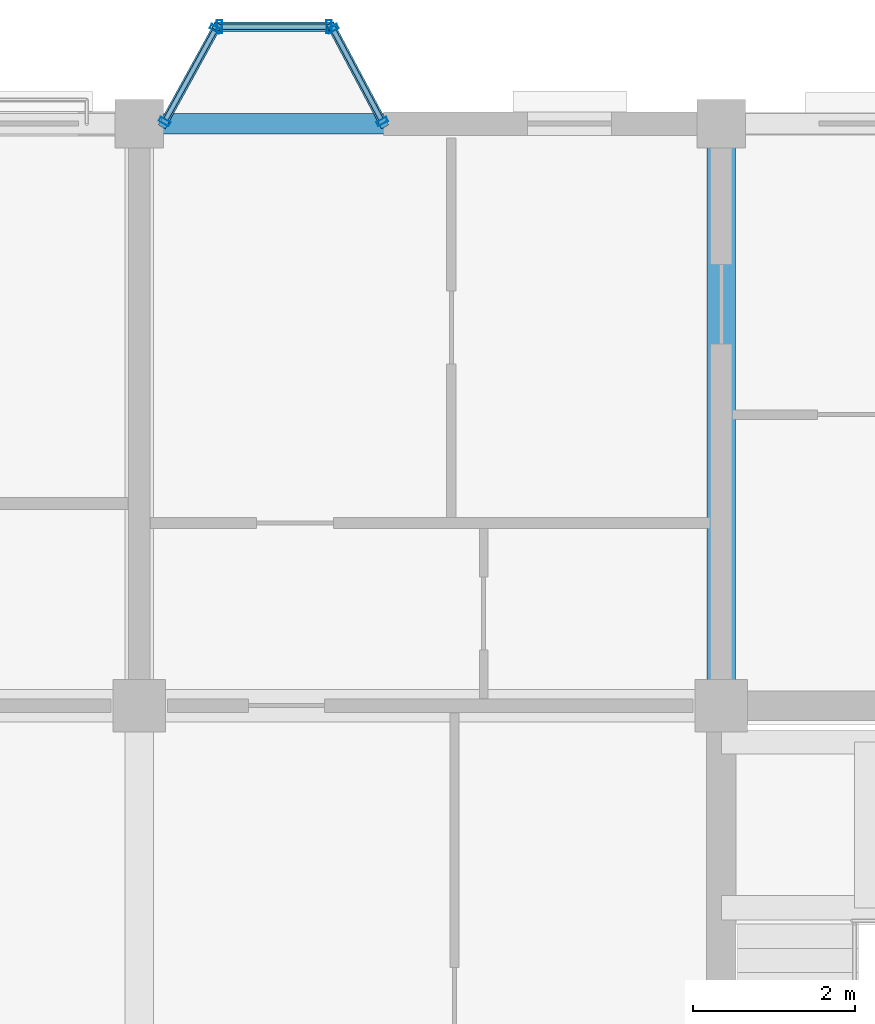
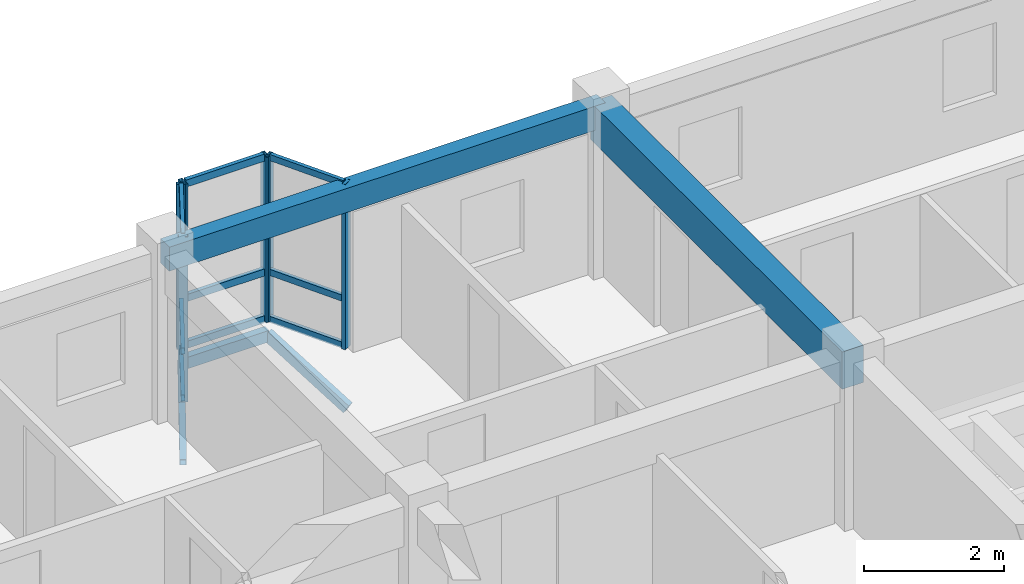
# One storey, part 67 of 124: 18 members, 2 beams, 3 elements without a shape of their own.
"""IFC4 building model written with IfcOpenShell, lengths in metres."""

from ifc_helpers import new_model, si_unit, direction, frame, origin, origin_2d, place, context, subcontext, project, spatial, rectangle, hollow_rectangle, extrude, material, layer, layer_set, material_profile, profile_set, type_object, element, aggregate, save


model = new_model("IFC4")

# Units and contexts
model_context = context("Model", 3, precision=1e-05, world=origin(), true_north=direction((0.0, 1.0)))
body_context = subcontext(model_context, "Body", "Model", "MODEL_VIEW")
ifc_project = project(units=[si_unit("LENGTHUNIT", "METRE"), si_unit("AREAUNIT", "SQUARE_METRE"), si_unit("VOLUMEUNIT", "CUBIC_METRE"), si_unit("PLANEANGLEUNIT", "RADIAN"), si_unit("MASSUNIT", "GRAM", prefix="KILO"), si_unit("THERMODYNAMICTEMPERATUREUNIT", "KELVIN"), si_unit("POWERUNIT", "WATT")], contexts=[model_context])

# Site, building, storey
site_placement = place(None, origin())
site = spatial("IfcSite", under=ifc_project, at=site_placement, CompositionType="ELEMENT")
building_placement = place(site_placement, origin())
building = spatial("IfcBuilding", under=site, at=building_placement, Name="Tavuni Mirador Residences", CompositionType="ELEMENT")
storey_placement = place(building_placement, frame((0.0, 0.0, 7.64990234375)))
storey = spatial("IfcBuildingStorey", under=building, at=storey_placement, Name="L02", CompositionType="ELEMENT", Elevation=7.64990234375)

# Beams
ifc_material_1 = material(Name="Precast concrete C40/50", Category="concrete")
ifc_material_profile_1 = material_profile(ifc_material_1, rectangle(XDim=0.35009765625, YDim=0.64990234375, at=origin_2d()), Name="PC 350x650", Category="concrete")
ifc_profile_set_1 = profile_set([ifc_material_profile_1], Name="Precast concrete C40/50")
beam_type_1 = type_object("IfcBeamType", Name="BT-B650", PredefinedType="BEAM", material=ifc_profile_set_1)
beam_1_placement = place(storey_placement, frame((25.199951171875, 165.60009765625, 2.56005859375), z_axis=(0.0, 1.0, 0.0), x_axis=(-1.0, 0.0, 0.0)))
element("IfcBeam", 1, at=beam_1_placement, inside=storey, type_object=beam_type_1, Name="BMY-BLK-C-L02-02-03", PredefinedType="BEAM", context=body_context, shape_type="SweptSolid", body=[
    extrude(rectangle(XDim=0.35009765625, YDim=0.64990234375, at=origin_2d()), origin(), (0.0, 0.0, 1.0), 7.199951171875),
])
ifc_material_profile_2 = material_profile(ifc_material_1, rectangle(XDim=0.25, YDim=0.419921875, at=origin_2d()), Name="PC 250x420", Category="concrete")
ifc_profile_set_2 = profile_set([ifc_material_profile_2], Name="Precast concrete C40/50")
beam_type_2 = type_object("IfcBeamType", Name="BT-SP420", PredefinedType="SPANDREL", material=ifc_profile_set_2)
beam_2_placement = place(storey_placement, frame((18.0, 172.800048828125, 2.675048828125), z_axis=(1.0, 0.0, 0.0), x_axis=(0.0, 1.0, 0.0)))
element("IfcBeam", 2, at=beam_2_placement, inside=storey, type_object=beam_type_2, Name="BMX-BLK-C-L02-01-04", PredefinedType="SPANDREL", context=body_context, shape_type="SweptSolid", body=[
    extrude(rectangle(XDim=0.25, YDim=0.419921875, at=origin_2d()), origin(), (0.0, 0.0, 1.0), 7.199951171875),
])

# Curtain wall, members
ifc_material_2 = material(Name="Anodised aluminium", Category="aluminium")
ifc_layer_1 = layer(ifc_material_2, 0.1650390625, Name="Anodised aluminium", Category="aluminium")
ifc_layer_set_1 = layer_set([ifc_layer_1], Name="Anodised aluminium")
curtain_wall_type_1 = type_object("IfcCurtainWallType", Name="CWT-MIR-A", PredefinedType="NOTDEFINED", material=ifc_layer_set_1)
curtain_wall_1_placement = place(storey_placement, origin())
curtain_wall_1 = element("IfcCurtainWall", 3, at=curtain_wall_1_placement, inside=storey, type_object=curtain_wall_type_1, Name="CW-MIR-C-N1-L02-M1", PredefinedType="NOTDEFINED")
ifc_material_profile_3 = material_profile(ifc_material_2, hollow_rectangle(XDim=0.06005859375, YDim=0.139892578125, WallThickness=0.00390625, at=origin_2d()), Name="ALU 60x140x4.0", Category="aluminium")
ifc_profile_set_3 = profile_set([ifc_material_profile_3], Name="Anodised aluminium")
member_type_1 = type_object("IfcMemberType", Name="CWM-140", PredefinedType="MULLION", material=ifc_profile_set_3)
member_1_placement = place(storey_placement, frame((21.005859375, 172.826416015625, 0.0), z_axis=(0.0, 0.0, 1.0), x_axis=(-0.470588235296, 0.882352941175, 0.0)))
member_1 = element("IfcMember", 4, at=member_1_placement, type_object=member_type_1, Name="CW-01 mullion 1", PredefinedType="MULLION", context=body_context, shape_type="SweptSolid", body=[
    extrude(hollow_rectangle(XDim=0.06005859375, YDim=0.139892578125, WallThickness=0.00390625, at=origin_2d()), origin(), (0.0, 0.0, 1.0), 2.885009765625),
])
member_2_placement = place(storey_placement, frame((20.39404296875, 173.9736328125, 0.0), z_axis=(0.0, 0.0, 1.0), x_axis=(-0.470588235296, 0.882352941175, 0.0)))
member_2 = element("IfcMember", 5, at=member_2_placement, type_object=member_type_1, Name="CW-01 mullion 2", PredefinedType="MULLION", context=body_context, shape_type="SweptSolid", body=[
    extrude(hollow_rectangle(XDim=0.06005859375, YDim=0.139892578125, WallThickness=0.00390625, at=origin_2d()), origin(), (0.0, 0.0, 1.0), 2.885009765625),
])

ifc_layer_2 = layer(ifc_material_2, 0.175048828125, Name="Anodised aluminium", Category="aluminium")
ifc_layer_set_2 = layer_set([ifc_layer_2], Name="Anodised aluminium")
curtain_wall_type_2 = type_object("IfcCurtainWallType", Name="CWT-MIR-C", PredefinedType="NOTDEFINED", material=ifc_layer_set_2)
curtain_wall_2_placement = place(storey_placement, origin())
curtain_wall_2 = element("IfcCurtainWall", 6, at=curtain_wall_2_placement, inside=storey, type_object=curtain_wall_type_2, Name="CW-MIR-C-N1-L02-M2", PredefinedType="NOTDEFINED")
member_3_placement = place(storey_placement, frame((18.945556640625, 173.9736328125, 0.0), z_axis=(0.0, 0.0, 1.0), x_axis=(-0.481918749773, -0.876215908676, 0.0)))
member_3 = element("IfcMember", 7, at=member_3_placement, type_object=member_type_1, Name="CW-03 mullion 1", PredefinedType="MULLION", context=body_context, shape_type="SweptSolid", body=[
    extrude(hollow_rectangle(XDim=0.06005859375, YDim=0.139892578125, WallThickness=0.00390625, at=origin_2d()), origin(), (0.0, 0.0, 1.0), 2.885009765625),
])
member_4_placement = place(storey_placement, frame((18.314453125, 172.826171875, 0.0), z_axis=(0.0, 0.0, 1.0), x_axis=(-0.481918749773, -0.876215908676, 0.0)))
member_4 = element("IfcMember", 8, at=member_4_placement, type_object=member_type_1, Name="CW-03 mullion 2", PredefinedType="MULLION", context=body_context, shape_type="SweptSolid", body=[
    extrude(hollow_rectangle(XDim=0.06005859375, YDim=0.139892578125, WallThickness=0.00390625, at=origin_2d()), origin(), (0.0, 0.0, 1.0), 2.885009765625),
])

ifc_layer_3 = layer(ifc_material_2, 0.14990234375, Name="Anodised aluminium", Category="aluminium")
ifc_layer_set_3 = layer_set([ifc_layer_3], Name="Anodised aluminium")
curtain_wall_type_3 = type_object("IfcCurtainWallType", Name="CWT-MIR-B", PredefinedType="NOTDEFINED", material=ifc_layer_set_3)
curtain_wall_3_placement = place(storey_placement, origin())
curtain_wall_3 = element("IfcCurtainWall", 9, at=curtain_wall_3_placement, inside=storey, type_object=curtain_wall_type_3, Name="CW-MIR-C-N1-L02-MF", PredefinedType="NOTDEFINED")
ifc_material_profile_4 = material_profile(ifc_material_2, hollow_rectangle(XDim=0.06494140625, YDim=0.1650390625, WallThickness=0.00439453125, at=origin_2d()), Name="ALU 65x165x4.5", Category="aluminium")
ifc_profile_set_4 = profile_set([ifc_material_profile_4], Name="Anodised aluminium")
member_type_2 = type_object("IfcMemberType", Name="CWM-165", PredefinedType="MULLION", material=ifc_profile_set_4)
member_5_placement = place(storey_placement, frame((20.347412109375, 174.0, 0.0), z_axis=(0.0, 0.0, 1.0), x_axis=(-1.0, 0.0, 0.0)))
member_5 = element("IfcMember", 10, at=member_5_placement, type_object=member_type_2, Name="CW-02 mullion 1", PredefinedType="MULLION", context=body_context, shape_type="SweptSolid", body=[
    extrude(hollow_rectangle(XDim=0.06494140625, YDim=0.1650390625, WallThickness=0.00439453125, at=origin_2d()), origin(), (0.0, 0.0, 1.0), 2.885009765625),
])
member_6_placement = place(storey_placement, frame((18.992431640625, 174.0, 0.0), z_axis=(0.0, 0.0, 1.0), x_axis=(-1.0, 0.0, 0.0)))
member_6 = element("IfcMember", 11, at=member_6_placement, type_object=member_type_2, Name="CW-02 mullion 2", PredefinedType="MULLION", context=body_context, shape_type="SweptSolid", body=[
    extrude(hollow_rectangle(XDim=0.06494140625, YDim=0.1650390625, WallThickness=0.00439453125, at=origin_2d()), origin(), (0.0, 0.0, 1.0), 2.885009765625),
])

# Member
ifc_material_profile_5 = material_profile(ifc_material_2, hollow_rectangle(XDim=0.06005859375, YDim=0.110107421875, WallThickness=0.00390625, at=origin_2d()), Name="ALU 60x110x4.0", Category="aluminium")
ifc_profile_set_5 = profile_set([ifc_material_profile_5], Name="Anodised aluminium")
member_type_3 = type_object("IfcMemberType", Name="CWT-110", PredefinedType="USERDEFINED", material=ifc_profile_set_5)
member_7_placement = place(storey_placement, frame((20.99169921875, 172.85302734375, 0.030029296875), z_axis=(-0.470608675382, 0.882342039492, 0.0), x_axis=(-0.882342039492, -0.470608675382, 0.0)))
member_7 = element("IfcMember", 12, at=member_7_placement, type_object=member_type_3, Name="CW-01 transom 1.1", ObjectType="TRANSOM", PredefinedType="USERDEFINED", context=body_context, shape_type="SweptSolid", body=[
    extrude(hollow_rectangle(XDim=0.06005859375, YDim=0.110107421875, WallThickness=0.00390625, at=origin_2d()), origin(), (0.0, 0.0, 1.0), 1.239990234375),
])

member_8_placement = place(storey_placement, frame((20.99169921875, 172.85302734375, 0.85009765625), z_axis=(-0.470608675382, 0.882342039492, 0.0), x_axis=(-0.882342039492, -0.470608675382, 0.0)))
member_8 = element("IfcMember", 13, at=member_8_placement, type_object=member_type_3, Name="CW-01 transom 1.2", ObjectType="TRANSOM", PredefinedType="USERDEFINED", context=body_context, shape_type="SweptSolid", body=[
    extrude(hollow_rectangle(XDim=0.06005859375, YDim=0.110107421875, WallThickness=0.00390625, at=origin_2d()), origin(), (0.0, 0.0, 1.0), 1.239990234375),
])

member_9_placement = place(storey_placement, frame((20.99169921875, 172.85302734375, 2.85498046875), z_axis=(-0.470608675382, 0.882342039492, 0.0), x_axis=(-0.882342039492, -0.470608675382, 0.0)))
member_9 = element("IfcMember", 14, at=member_9_placement, type_object=member_type_3, Name="CW-01 transom 1.3", ObjectType="TRANSOM", PredefinedType="USERDEFINED", context=body_context, shape_type="SweptSolid", body=[
    extrude(hollow_rectangle(XDim=0.06005859375, YDim=0.110107421875, WallThickness=0.00390625, at=origin_2d()), origin(), (0.0, 0.0, 1.0), 1.239990234375),
])

aggregate(curtain_wall_1, [member_1, member_2, member_7, member_8, member_9])

member_10_placement = place(storey_placement, frame((18.93115234375, 173.947509765625, 0.030029296875), z_axis=(-0.481956246695, -0.876195284324, 0.0), x_axis=(0.876195284324, -0.481956246695, 0.0)))
member_10 = element("IfcMember", 15, at=member_10_placement, type_object=member_type_3, Name="CW-03 transom 1.1", ObjectType="TRANSOM", PredefinedType="USERDEFINED", context=body_context, shape_type="SweptSolid", body=[
    extrude(hollow_rectangle(XDim=0.06005859375, YDim=0.110107421875, WallThickness=0.00390625, at=origin_2d()), origin(), (0.0, 0.0, 1.0), 1.249755859375),
])

member_11_placement = place(storey_placement, frame((18.93115234375, 173.947509765625, 0.85009765625), z_axis=(-0.481956246695, -0.876195284324, 0.0), x_axis=(0.876195284324, -0.481956246695, 0.0)))
member_11 = element("IfcMember", 16, at=member_11_placement, type_object=member_type_3, Name="CW-03 transom 1.2", ObjectType="TRANSOM", PredefinedType="USERDEFINED", context=body_context, shape_type="SweptSolid", body=[
    extrude(hollow_rectangle(XDim=0.06005859375, YDim=0.110107421875, WallThickness=0.00390625, at=origin_2d()), origin(), (0.0, 0.0, 1.0), 1.249755859375),
])

member_12_placement = place(storey_placement, frame((18.93115234375, 173.947509765625, 2.85498046875), z_axis=(-0.481956246695, -0.876195284324, 0.0), x_axis=(0.876195284324, -0.481956246695, 0.0)))
member_12 = element("IfcMember", 17, at=member_12_placement, type_object=member_type_3, Name="CW-03 transom 1.3", ObjectType="TRANSOM", PredefinedType="USERDEFINED", context=body_context, shape_type="SweptSolid", body=[
    extrude(hollow_rectangle(XDim=0.06005859375, YDim=0.110107421875, WallThickness=0.00390625, at=origin_2d()), origin(), (0.0, 0.0, 1.0), 1.249755859375),
])

aggregate(curtain_wall_2, [member_3, member_4, member_10, member_11, member_12])

ifc_material_profile_6 = material_profile(ifc_material_2, hollow_rectangle(XDim=0.06494140625, YDim=0.125, WallThickness=0.00439453125, at=origin_2d()), Name="ALU 65x125x4.5", Category="aluminium")
ifc_profile_set_6 = profile_set([ifc_material_profile_6], Name="Anodised aluminium")
member_type_4 = type_object("IfcMemberType", Name="CWT-125", PredefinedType="USERDEFINED", material=ifc_profile_set_6)
member_13_placement = place(storey_placement, frame((20.31494140625, 174.0, 0.03271484375), z_axis=(-1.0, 0.0, 0.0), x_axis=(0.0, -1.0, 0.0)))
member_13 = element("IfcMember", 18, at=member_13_placement, type_object=member_type_4, Name="CW-02 transom 1.1", ObjectType="TRANSOM", PredefinedType="USERDEFINED", context=body_context, shape_type="SweptSolid", body=[
    extrude(hollow_rectangle(XDim=0.06494140625, YDim=0.125, WallThickness=0.00439453125, at=origin_2d()), origin(), (0.0, 0.0, 1.0), 1.2900390625),
])

member_14_placement = place(storey_placement, frame((20.31494140625, 174.0, 0.85009765625), z_axis=(-1.0, 0.0, 0.0), x_axis=(0.0, -1.0, 0.0)))
member_14 = element("IfcMember", 19, at=member_14_placement, type_object=member_type_4, Name="CW-02 transom 1.2", ObjectType="TRANSOM", PredefinedType="USERDEFINED", context=body_context, shape_type="SweptSolid", body=[
    extrude(hollow_rectangle(XDim=0.06494140625, YDim=0.125, WallThickness=0.00439453125, at=origin_2d()), origin(), (0.0, 0.0, 1.0), 1.2900390625),
])

member_15_placement = place(storey_placement, frame((20.31494140625, 174.0, 2.8525390625), z_axis=(-1.0, 0.0, 0.0), x_axis=(0.0, -1.0, 0.0)))
member_15 = element("IfcMember", 20, at=member_15_placement, type_object=member_type_4, Name="CW-02 transom 1.3", ObjectType="TRANSOM", PredefinedType="USERDEFINED", context=body_context, shape_type="SweptSolid", body=[
    extrude(hollow_rectangle(XDim=0.06494140625, YDim=0.125, WallThickness=0.00439453125, at=origin_2d()), origin(), (0.0, 0.0, 1.0), 1.2900390625),
])

aggregate(curtain_wall_3, [member_5, member_6, member_13, member_14, member_15])

# Members
ifc_material_3 = material(Name="Structural steel S355", Category="steel")
ifc_material_profile_7 = material_profile(ifc_material_3, hollow_rectangle(XDim=0.10009765625, YDim=0.179931640625, WallThickness=0.008056640625, at=origin_2d()), Name="RHS 180x100x8.0", Category="steel")
ifc_profile_set_7 = profile_set([ifc_material_profile_7], Name="Structural steel S355")
member_type_5 = type_object("IfcMemberType", Name="MT-BR-RHS180", PredefinedType="BRACE", material=ifc_profile_set_7)
member_16_placement = place(storey_placement, frame((18.300048828125, 172.800048828125, -1.0498046875), z_axis=(0.4180802733, 0.760216257222, 0.497272689108), x_axis=(-0.876234728108, 0.481884531043, 0.0)))
element("IfcMember", 21, at=member_16_placement, inside=storey, type_object=member_type_5, Name="MBRK-MIR-C-N1-L02-1", PredefinedType="BRACE", context=body_context, shape_type="SweptSolid", body=[
    extrude(hollow_rectangle(XDim=0.10009765625, YDim=0.179931640625, WallThickness=0.008056640625, at=origin_2d()), origin(), (0.0, 0.0, 1.0), 1.578369140625),
])
member_17_placement = place(storey_placement, frame((21.02001953125, 172.800048828125, -1.0498046875), z_axis=(-0.407660536563, 0.76416915988, 0.499858361956), x_axis=(-0.882303244255, -0.470681405175, 0.0)))
element("IfcMember", 22, at=member_17_placement, inside=storey, type_object=member_type_5, Name="MBRK-MIR-C-N1-L02-2", PredefinedType="BRACE", context=body_context, shape_type="SweptSolid", body=[
    extrude(hollow_rectangle(XDim=0.10009765625, YDim=0.179931640625, WallThickness=0.008056640625, at=origin_2d()), origin(), (0.0, 0.0, 1.0), 1.5703125),
])
ifc_material_profile_8 = material_profile(ifc_material_3, hollow_rectangle(XDim=0.1201171875, YDim=0.199951171875, WallThickness=0.010009765625, at=origin_2d()), Name="RHS 200x120x10.0", Category="steel")
ifc_profile_set_8 = profile_set([ifc_material_profile_8], Name="Structural steel S355")
member_type_6 = type_object("IfcMemberType", Name="MT-ST-RHS200", PredefinedType="STRUT", material=ifc_profile_set_8)
member_18_placement = place(storey_placement, frame((18.9599609375, 174.0, -0.264892578125), z_axis=(1.0, 0.0, 0.0), x_axis=(0.0, 1.0, 0.0)))
element("IfcMember", 23, at=member_18_placement, inside=storey, type_object=member_type_6, Name="MRIM-MIR-C-N1-L02", PredefinedType="STRUT", context=body_context, shape_type="SweptSolid", body=[
    extrude(hollow_rectangle(XDim=0.1201171875, YDim=0.199951171875, WallThickness=0.010009765625, at=origin_2d()), origin(), (0.0, 0.0, 1.0), 1.419921875),
])

save(model, "model.ifc")
